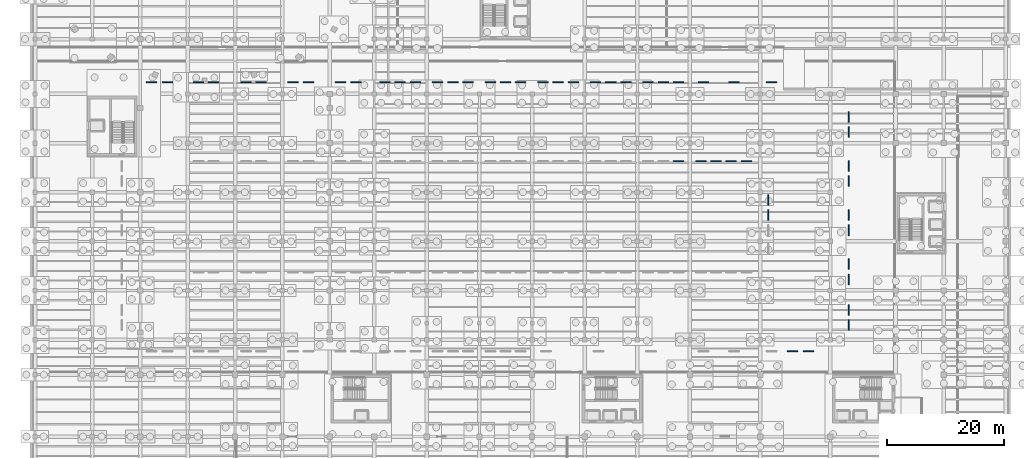
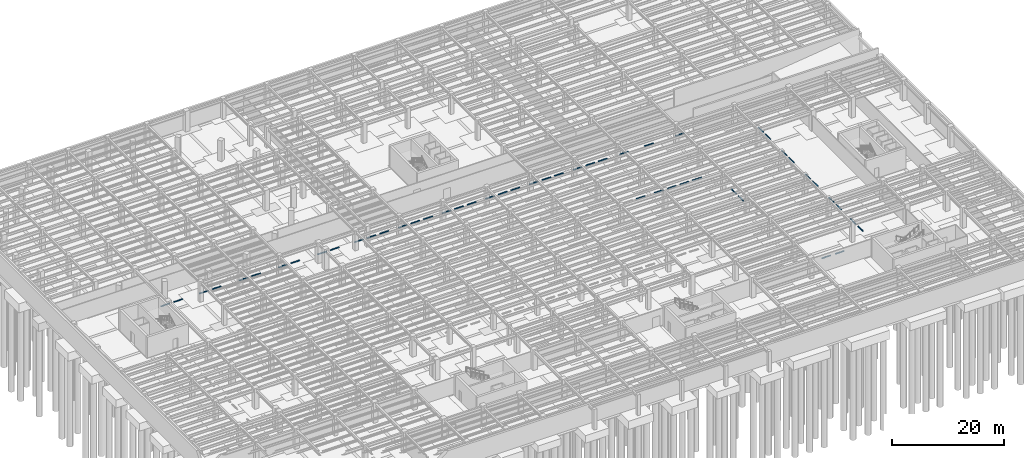
# One storey, part 42 of 49: 50 discrete accessories.
"""IFC4 building model written with IfcOpenShell, lengths in metres."""

from ifc_helpers import new_model, si_unit, direction, frame, origin, origin_2d, place, context, subcontext, project, spatial, rectangle, extrude, material, type_object, element, save


model = new_model("IFC4")

# Units and contexts
model_context = context("Model", 3, precision=1e-05, world=origin(), true_north=direction((0.0, 1.0)))
body_context = subcontext(model_context, "Body", "Model", "MODEL_VIEW")
ifc_project = project(units=[si_unit("LENGTHUNIT", "METRE"), si_unit("AREAUNIT", "SQUARE_METRE"), si_unit("VOLUMEUNIT", "CUBIC_METRE"), si_unit("PLANEANGLEUNIT", "RADIAN"), si_unit("MASSUNIT", "GRAM", prefix="KILO")], contexts=[model_context])

# Site, building, storey
site_placement = place(None, origin())
site = spatial("IfcSite", under=ifc_project, at=site_placement, CompositionType="ELEMENT")
building_placement = place(site_placement, origin())
building = spatial("IfcBuilding", under=site, at=building_placement, Name="Sollismere Congress Hotel", CompositionType="ELEMENT")
storey_placement = place(building_placement, frame((0.0, 0.0, -4.5)))
storey = spatial("IfcBuildingStorey", under=building, at=storey_placement, Name="B1", CompositionType="ELEMENT", Elevation=-4.5)

# Discrete accessories
ifc_material = material(Name="Concrete C40/50", Category="concrete")
discrete_accessory_type = type_object("IfcDiscreteAccessoryType", Name="ACC-WS180", PredefinedType="USERDEFINED", material=ifc_material)
for number, where, z_axis, x_axis, name in (
    (1, (114.35009765625, 68.800048828125, 0.0), (0.0, 0.0, 1.0), (1.0, 0.0, 0.0), "Accessible parking bay wheel stop B1-P006"),
    (2, (119.550048828125, 68.800048828125, 0.0), (0.0, 0.0, 1.0), (1.0, 0.0, 0.0), "Accessible parking bay wheel stop B1-P007"),
    (3, (110.050048828125, 55.300048828125, 0.0), (0.0, 0.0, 1.0), (1.0, 0.0, 0.0), "Parking bay wheel stop B1-P080"),
    (4, (113.85009765625, 55.300048828125, 0.0), (0.0, 0.0, 1.0), (1.0, 0.0, 0.0), "Parking bay wheel stop B1-P081"),
    (5, (116.449951171875, 55.300048828125, 0.0), (0.0, 0.0, 1.0), (1.0, 0.0, 0.0), "Parking bay wheel stop B1-P082"),
    (6, (119.050048828125, 55.300048828125, 0.0), (0.0, 0.0, 1.0), (1.0, 0.0, 0.0), "Parking bay wheel stop B1-P083"),
    (7, (121.64990234375, 55.300048828125, 0.0), (0.0, 0.0, 1.0), (1.0, 0.0, 0.0), "Parking bay wheel stop B1-P084"),
    (8, (27.949951171875, 68.800048828125, 0.0), (0.0, 0.0, 1.0), (1.0, 0.0, 0.0), "Parking bay wheel stop B1-P085"),
    (9, (30.550048828125, 68.800048828125, 0.0), (0.0, 0.0, 1.0), (1.0, 0.0, 0.0), "Parking bay wheel stop B1-P086"),
    (10, (36.050048828125, 68.800048828125, 0.0), (0.0, 0.0, 1.0), (1.0, 0.0, 0.0), "Parking bay wheel stop B1-P087"),
    (11, (38.64990234375, 68.800048828125, 0.0), (0.0, 0.0, 1.0), (1.0, 0.0, 0.0), "Parking bay wheel stop B1-P088"),
    (12, (44.14990234375, 68.800048828125, 0.0), (0.0, 0.0, 1.0), (1.0, 0.0, 0.0), "Parking bay wheel stop B1-P089"),
    (13, (46.75, 68.800048828125, 0.0), (0.0, 0.0, 1.0), (1.0, 0.0, 0.0), "Parking bay wheel stop B1-P090"),
    (14, (52.25, 68.800048828125, 0.0), (0.0, 0.0, 1.0), (1.0, 0.0, 0.0), "Parking bay wheel stop B1-P091"),
    (15, (54.85009765625, 68.800048828125, 0.0), (0.0, 0.0, 1.0), (1.0, 0.0, 0.0), "Parking bay wheel stop B1-P092"),
    (16, (59.85009765625, 68.800048828125, 0.0), (0.0, 0.0, 1.0), (1.0, 0.0, 0.0), "Parking bay wheel stop B1-P093"),
    (17, (62.449951171875, 68.800048828125, 0.0), (0.0, 0.0, 1.0), (1.0, 0.0, 0.0), "Parking bay wheel stop B1-P094"),
    (18, (65.050048828125, 68.800048828125, 0.0), (0.0, 0.0, 1.0), (1.0, 0.0, 0.0), "Parking bay wheel stop B1-P095"),
    (19, (68.85009765625, 68.800048828125, 0.0), (0.0, 0.0, 1.0), (1.0, 0.0, 0.0), "Parking bay wheel stop B1-P096"),
    (20, (71.449951171875, 68.800048828125, 0.0), (0.0, 0.0, 1.0), (1.0, 0.0, 0.0), "Parking bay wheel stop B1-P097"),
    (21, (74.050048828125, 68.800048828125, 0.0), (0.0, 0.0, 1.0), (1.0, 0.0, 0.0), "Parking bay wheel stop B1-P098"),
    (22, (77.85009765625, 68.800048828125, 0.0), (0.0, 0.0, 1.0), (1.0, 0.0, 0.0), "Parking bay wheel stop B1-P099"),
    (23, (80.449951171875, 68.800048828125, 0.0), (0.0, 0.0, 1.0), (1.0, 0.0, 0.0), "Parking bay wheel stop B1-P100"),
    (24, (83.050048828125, 68.800048828125, 0.0), (0.0, 0.0, 1.0), (1.0, 0.0, 0.0), "Parking bay wheel stop B1-P101"),
    (25, (86.85009765625, 68.800048828125, 0.0), (0.0, 0.0, 1.0), (1.0, 0.0, 0.0), "Parking bay wheel stop B1-P102"),
    (26, (89.449951171875, 68.800048828125, 0.0), (0.0, 0.0, 1.0), (1.0, 0.0, 0.0), "Parking bay wheel stop B1-P103"),
    (27, (92.050048828125, 68.800048828125, 0.0), (0.0, 0.0, 1.0), (1.0, 0.0, 0.0), "Parking bay wheel stop B1-P104"),
    (28, (95.85009765625, 68.800048828125, 0.0), (0.0, 0.0, 1.0), (1.0, 0.0, 0.0), "Parking bay wheel stop B1-P105"),
    (29, (98.449951171875, 68.800048828125, 0.0), (0.0, 0.0, 1.0), (1.0, 0.0, 0.0), "Parking bay wheel stop B1-P106"),
    (30, (101.050048828125, 68.800048828125, 0.0), (0.0, 0.0, 1.0), (1.0, 0.0, 0.0), "Parking bay wheel stop B1-P107"),
    (31, (104.85009765625, 68.800048828125, 0.0), (0.0, 0.0, 1.0), (1.0, 0.0, 0.0), "Parking bay wheel stop B1-P108"),
    (32, (107.449951171875, 68.800048828125, 0.0), (0.0, 0.0, 1.0), (1.0, 0.0, 0.0), "Parking bay wheel stop B1-P109"),
    (33, (110.050048828125, 68.800048828125, 0.0), (0.0, 0.0, 1.0), (1.0, 0.0, 0.0), "Parking bay wheel stop B1-P110"),
):
    element("IfcDiscreteAccessory", number, at=place(storey_placement, frame(where, z_axis=z_axis, x_axis=x_axis)), inside=storey, type_object=discrete_accessory_type, Name=name, ObjectType="WHEEL STOP", PredefinedType="USERDEFINED", context=body_context, shape_type="SweptSolid", body=[
        extrude(rectangle(XDim=1.800048828125, YDim=0.179931640625, at=origin_2d()), origin(), (0.0, 0.0, 1.0), 0.1201171875),
    ])
for number, where, z_axis, x_axis, name in (
    (34, (139.14990234375, 27.300048828125, 0.0), (0.0, 0.0, 1.0), (1.0, 0.0, 0.0), "Parking bay wheel stop B1-P111"),
    (35, (139.14990234375, 29.89990234375, 0.0), (0.0, 0.0, 1.0), (1.0, 0.0, 0.0), "Parking bay wheel stop B1-P112"),
    (36, (139.14990234375, 35.10009765625, 0.0), (0.0, 0.0, 1.0), (1.0, 0.0, 0.0), "Parking bay wheel stop B1-P113"),
    (37, (139.14990234375, 37.699951171875, 0.0), (0.0, 0.0, 1.0), (1.0, 0.0, 0.0), "Parking bay wheel stop B1-P114"),
    (38, (139.14990234375, 43.5, 0.0), (0.0, 0.0, 1.0), (1.0, 0.0, 0.0), "Parking bay wheel stop B1-P115"),
    (39, (139.14990234375, 46.10009765625, 0.0), (0.0, 0.0, 1.0), (1.0, 0.0, 0.0), "Parking bay wheel stop B1-P116"),
    (40, (139.14990234375, 51.89990234375, 0.0), (0.0, 0.0, 1.0), (1.0, 0.0, 0.0), "Parking bay wheel stop B1-P117"),
    (41, (139.14990234375, 54.5, 0.0), (0.0, 0.0, 1.0), (1.0, 0.0, 0.0), "Parking bay wheel stop B1-P118"),
    (42, (139.14990234375, 60.300048828125, 0.0), (0.0, 0.0, 1.0), (1.0, 0.0, 0.0), "Parking bay wheel stop B1-P119"),
    (43, (139.14990234375, 62.89990234375, 0.0), (0.0, 0.0, 1.0), (1.0, 0.0, 0.0), "Parking bay wheel stop B1-P120"),
):
    element("IfcDiscreteAccessory", number, at=place(storey_placement, frame(where, z_axis=z_axis, x_axis=x_axis)), inside=storey, type_object=discrete_accessory_type, Name=name, ObjectType="WHEEL STOP", PredefinedType="USERDEFINED", context=body_context, shape_type="SweptSolid", body=[
        extrude(rectangle(XDim=0.179931640625, YDim=1.800048828125, at=origin_2d()), origin(), (0.0, 0.0, 1.0), 0.1201171875),
    ])
for number, where, z_axis, x_axis, name in (
    (44, (125.89990234375, 68.800048828125, 0.0), (0.0, 0.0, 1.0), (1.0, 0.0, 0.0), "Parking bay wheel stop B1-P130"),
    (45, (19.949951171875, 68.800048828125, 0.0), (0.0, 0.0, 1.0), (1.0, 0.0, 0.0), "Parking bay wheel stop B1-P132"),
    (46, (22.64990234375, 68.800048828125, 0.0), (0.0, 0.0, 1.0), (1.0, 0.0, 0.0), "Parking bay wheel stop B1-P134"),
    (47, (129.5, 22.800048828125, 0.0), (0.0, 0.0, 1.0), (1.0, 0.0, 0.0), "Parking bay wheel stop B1-P135"),
    (48, (132.300048828125, 22.800048828125, 0.0), (0.0, 0.0, 1.0), (1.0, 0.0, 0.0), "Parking bay wheel stop B1-P136"),
):
    element("IfcDiscreteAccessory", number, at=place(storey_placement, frame(where, z_axis=z_axis, x_axis=x_axis)), inside=storey, type_object=discrete_accessory_type, Name=name, ObjectType="WHEEL STOP", PredefinedType="USERDEFINED", context=body_context, shape_type="SweptSolid", body=[
        extrude(rectangle(XDim=1.800048828125, YDim=0.179931640625, at=origin_2d()), origin(), (0.0, 0.0, 1.0), 0.1201171875),
    ])
for number, where, z_axis, x_axis, name in (
    (49, (125.39990234375, 46.10009765625, 0.0), (0.0, 0.0, 1.0), (1.0, 0.0, 0.0), "Parking bay wheel stop B1-P139"),
    (50, (125.39990234375, 48.699951171875, 0.0), (0.0, 0.0, 1.0), (1.0, 0.0, 0.0), "Parking bay wheel stop B1-P140"),
):
    element("IfcDiscreteAccessory", number, at=place(storey_placement, frame(where, z_axis=z_axis, x_axis=x_axis)), inside=storey, type_object=discrete_accessory_type, Name=name, ObjectType="WHEEL STOP", PredefinedType="USERDEFINED", context=body_context, shape_type="SweptSolid", body=[
        extrude(rectangle(XDim=0.179931640625, YDim=1.800048828125, at=origin_2d()), origin(), (0.0, 0.0, 1.0), 0.1201171875),
    ])

save(model, "model.ifc")
